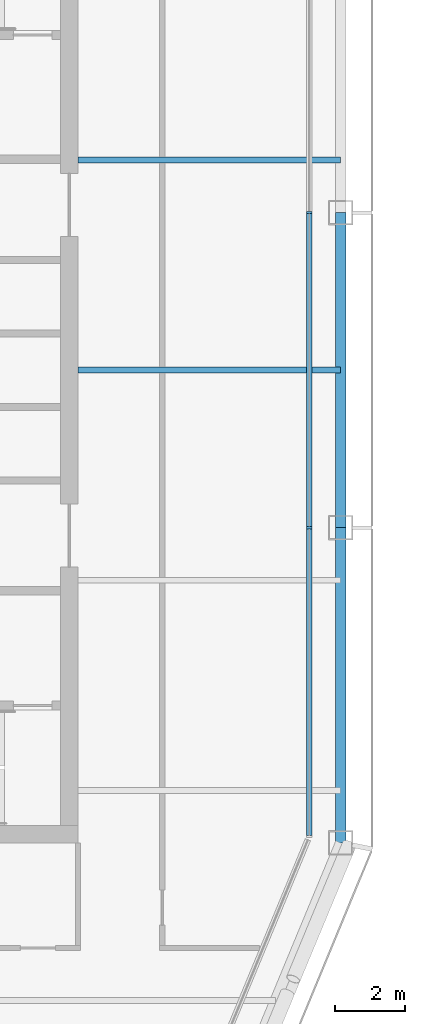
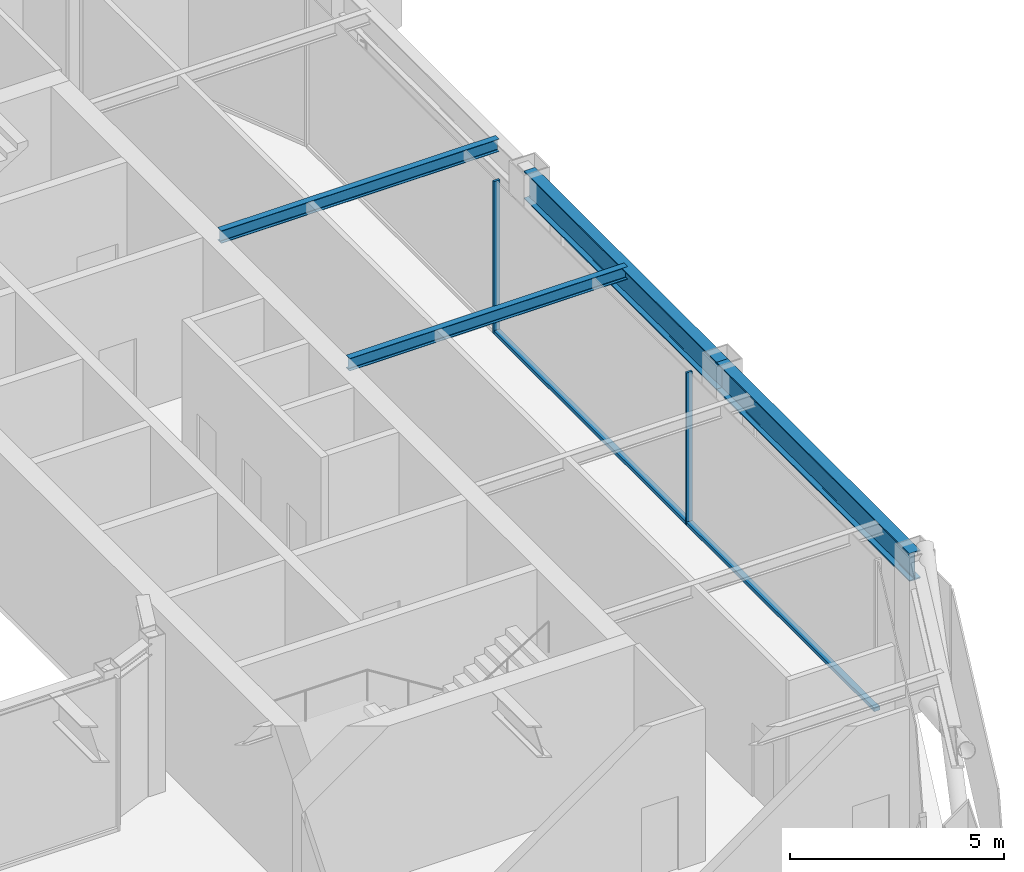
# One storey, part 6 of 21: 4 beams, 4 members, 1 element without a shape of its own.
"""IFC4 building model written with IfcOpenShell, lengths in metres."""

from ifc_helpers import new_model, si_unit, direction, frame, origin, origin_2d, place, context, subcontext, project, spatial, rectangle, i_section, extrude, material, layer, layer_set, material_profile, profile_set, type_object, element, aggregate, save


model = new_model("IFC4")

# Units and contexts
model_context = context("Model", 3, precision=1e-05, world=origin(), true_north=direction((0.0, 1.0)))
body_context = subcontext(model_context, "Body", "Model", "MODEL_VIEW")
ifc_project = project(units=[si_unit("LENGTHUNIT", "METRE"), si_unit("AREAUNIT", "SQUARE_METRE"), si_unit("VOLUMEUNIT", "CUBIC_METRE"), si_unit("PLANEANGLEUNIT", "RADIAN"), si_unit("MASSUNIT", "GRAM", prefix="KILO")], contexts=[model_context])

# Site, building, storey
site_placement = place(None, origin())
site = spatial("IfcSite", under=ifc_project, at=site_placement, CompositionType="ELEMENT")
building_placement = place(site_placement, origin())
building = spatial("IfcBuilding", under=site, at=building_placement, Name="Siwar Civic Tower", CompositionType="ELEMENT")
storey_placement = place(building_placement, frame((0.0, 0.0, 325.699951171875)))
storey = spatial("IfcBuildingStorey", under=building, at=storey_placement, Name="L70", CompositionType="ELEMENT", Elevation=325.699951171875)

# Curtain wall, members
ifc_material_1 = material(Name="Aluminium and glass", Category="aluminium")
ifc_layer = layer(ifc_material_1, 0.159912109375)
ifc_layer_set = layer_set([ifc_layer], Name="Aluminium and glass")
curtain_wall_type = type_object("IfcCurtainWallType", Name="ENV-CW-D", PredefinedType="NOTDEFINED", material=ifc_layer_set)
curtain_wall_placement = place(storey_placement, origin())
curtain_wall = element("IfcCurtainWall", 1, at=curtain_wall_placement, inside=storey, type_object=curtain_wall_type, Name="Curtain wall D E", PredefinedType="NOTDEFINED")
ifc_material_2 = material(Name="Aluminium 6063-T6", Category="aluminium")
ifc_material_profile_1 = material_profile(ifc_material_2, rectangle(XDim=0.159912109375, YDim=0.06005859375, at=origin_2d()), Name="AL 160x60")
ifc_profile_set_1 = profile_set([ifc_material_profile_1], Name="Aluminium 6063-T6")
member_type_1 = type_object("IfcMemberType", Name="ENV-MULLION-D", PredefinedType="MULLION", material=ifc_profile_set_1)
member_1_placement = place(storey_placement, frame((23.85009765625, -4.5, 0.0), z_axis=(0.0, 0.0, 1.0), x_axis=(-1.0, 0.0, 0.0)))
member_1 = element("IfcMember", 2, at=member_1_placement, type_object=member_type_1, Name="Mullion D E 2", PredefinedType="MULLION", context=body_context, shape_type="SweptSolid", body=[
    extrude(rectangle(XDim=0.159912109375, YDim=0.06005859375, at=origin_2d()), origin(), (0.0, 0.0, 1.0), 4.35009765625),
])
member_2_placement = place(storey_placement, frame((23.85009765625, 4.5, 0.0), z_axis=(0.0, 0.0, 1.0), x_axis=(-1.0, 0.0, 0.0)))
member_2 = element("IfcMember", 3, at=member_2_placement, type_object=member_type_1, Name="Mullion D E 3", PredefinedType="MULLION", context=body_context, shape_type="SweptSolid", body=[
    extrude(rectangle(XDim=0.159912109375, YDim=0.06005859375, at=origin_2d()), origin(), (0.0, 0.0, 1.0), 4.35009765625),
])
ifc_material_3 = material(Name="Aluminium 6063-T6", Category="aluminium")
ifc_material_profile_2 = material_profile(ifc_material_3, rectangle(XDim=0.159912109375, YDim=0.10009765625, at=origin_2d()), Name="AL 160x100")
ifc_profile_set_2 = profile_set([ifc_material_profile_2], Name="Aluminium 6063-T6")
member_type_2 = type_object("IfcMemberType", Name="ENV-TRANSOM-D", PredefinedType="USERDEFINED", material=ifc_profile_set_2)
member_3_placement = place(storey_placement, frame((23.85009765625, -13.291015625, 0.050048828125), z_axis=(0.0, 1.0, 0.0), x_axis=(-1.0, 0.0, 0.0)))
member_3 = element("IfcMember", 4, at=member_3_placement, type_object=member_type_2, Name="Transom D E 1", ObjectType="TRANSOM", PredefinedType="USERDEFINED", context=body_context, shape_type="SweptSolid", body=[
    extrude(rectangle(XDim=0.159912109375, YDim=0.10009765625, at=origin_2d()), origin(), (0.0, 0.0, 1.0), 8.760986328125),
])
member_4_placement = place(storey_placement, frame((23.85009765625, -4.469970703125, 0.050048828125), z_axis=(0.0, 1.0, 0.0), x_axis=(-1.0, 0.0, 0.0)))
member_4 = element("IfcMember", 5, at=member_4_placement, type_object=member_type_2, Name="Transom D E 2", ObjectType="TRANSOM", PredefinedType="USERDEFINED", context=body_context, shape_type="SweptSolid", body=[
    extrude(rectangle(XDim=0.159912109375, YDim=0.10009765625, at=origin_2d()), origin(), (0.0, 0.0, 1.0), 8.93994140625),
])
aggregate(curtain_wall, [member_1, member_2, member_3, member_4])

# Beams
ifc_material_4 = material(Name="Steel S355", Category="steel")
ifc_material_profile_3 = material_profile(ifc_material_4, i_section(OverallWidth=0.169921875, OverallDepth=0.360107421875, WebThickness=0.008056640625, FlangeThickness=0.0126953125, FilletRadius=0.01806640625, at=origin_2d()), Name="IPE360")
ifc_profile_set_3 = profile_set([ifc_material_profile_3], Name="Steel S355")
beam_type_1 = type_object("IfcBeamType", Name="STR-FB-IPE360", PredefinedType="JOIST", material=ifc_profile_set_3)
for number, where, z_axis, x_axis, name in (
    (6, (17.25, 0.0, 4.170166015625), (1.0, 0.0, 0.0), (0.0, 1.0, 0.0), "L70/bm/F019"),
    (7, (17.25, 6.0, 4.170166015625), (1.0, 0.0, 0.0), (0.0, 1.0, 0.0), "L70/bm/F021"),
):
    element("IfcBeam", number, at=place(storey_placement, frame(where, z_axis=z_axis, x_axis=x_axis)), inside=storey, type_object=beam_type_1, Name=name, PredefinedType="JOIST", context=body_context, shape_type="SweptSolid", body=[
        extrude(i_section(OverallWidth=0.169921875, OverallDepth=0.360107421875, WebThickness=0.008056640625, FlangeThickness=0.0126953125, FilletRadius=0.01806640625, at=origin_2d()), origin(), (0.0, 0.0, 1.0), 7.5),
    ])
ifc_material_5 = material(Name="Steel S355", Category="steel")
ifc_material_profile_4 = material_profile(ifc_material_5, i_section(OverallWidth=0.300048828125, OverallDepth=0.800048828125, WebThickness=0.017578125, FlangeThickness=0.032958984375, FilletRadius=0.030029296875, at=origin_2d()), Name="HEB800")
ifc_profile_set_4 = profile_set([ifc_material_profile_4], Name="Steel S355")
beam_type_2 = type_object("IfcBeamType", Name="STR-SB-HEB800", PredefinedType="BEAM", material=ifc_profile_set_4)
for number, where, z_axis, x_axis, name in (
    (8, (24.75, -13.5, 3.949951171875), (0.0, 1.0, 0.0), (-1.0, 0.0, 0.0), "L70/bm/SE-0"),
    (9, (24.75, -4.5, 3.949951171875), (0.0, 1.0, 0.0), (-1.0, 0.0, 0.0), "L70/bm/SE-1"),
):
    element("IfcBeam", number, at=place(storey_placement, frame(where, z_axis=z_axis, x_axis=x_axis)), inside=storey, type_object=beam_type_2, Name=name, PredefinedType="BEAM", context=body_context, shape_type="SweptSolid", body=[
        extrude(i_section(OverallWidth=0.300048828125, OverallDepth=0.800048828125, WebThickness=0.017578125, FlangeThickness=0.032958984375, FilletRadius=0.030029296875, at=origin_2d()), origin(), (0.0, 0.0, 1.0), 9.0),
    ])

save(model, "model.ifc")
